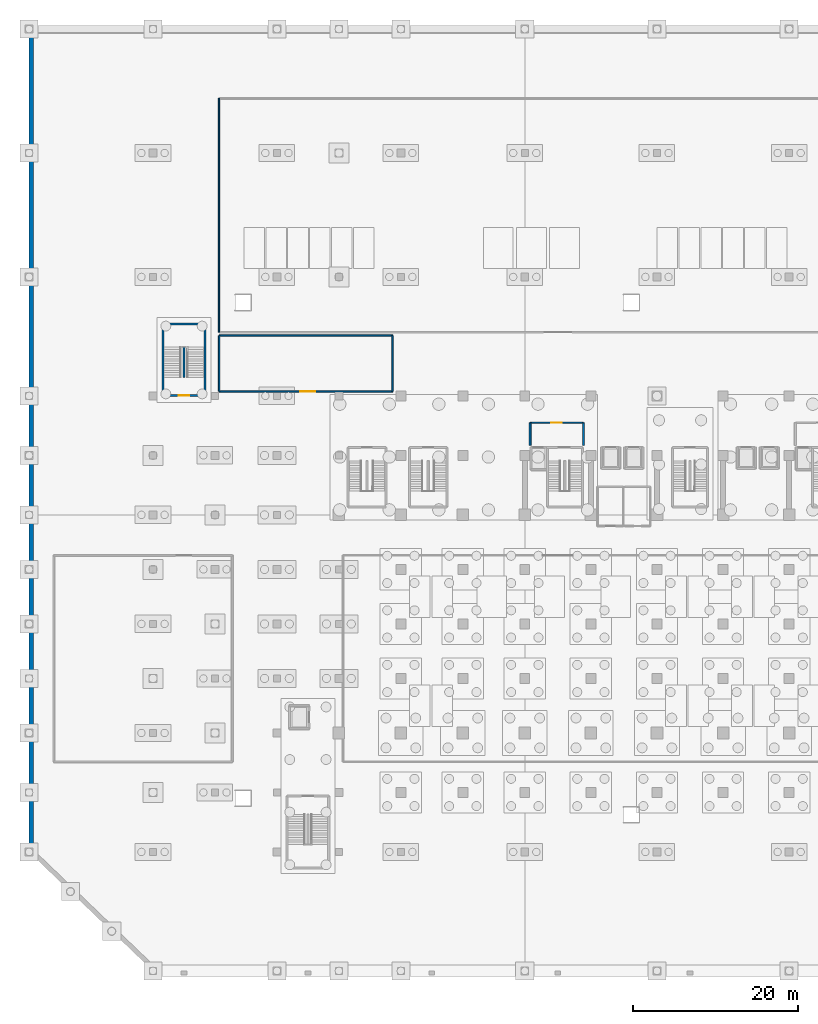
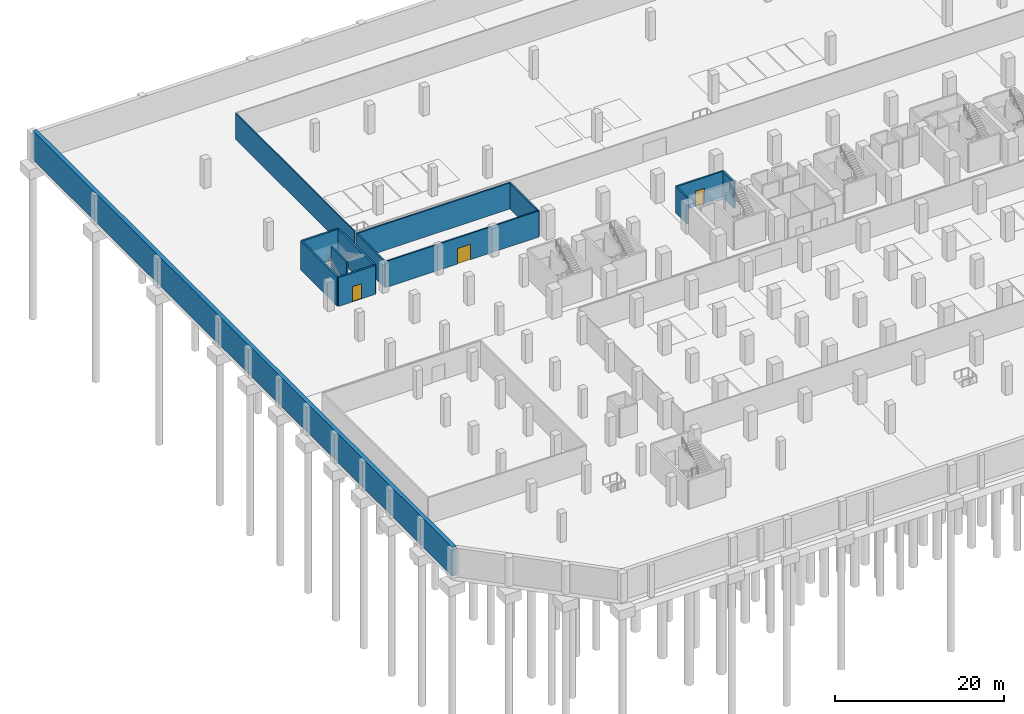
# One storey, part 12 of 26: 14 walls, 3 doors, 3 openings.
"""IFC4 building model written with IfcOpenShell, lengths in metres."""

from ifc_helpers import new_model, si_unit, direction, frame, frame_2d, origin, place, context, subcontext, project, spatial, rectangle, extrude, material, layer, layer_set, type_object, element, fill, save


model = new_model("IFC4")

# Units and contexts
model_context = context("Model", 3, precision=1e-05, world=origin(), true_north=direction((0.0, 1.0)))
body_context = subcontext(model_context, "Body", "Model", "MODEL_VIEW")
ifc_project = project(units=[si_unit("LENGTHUNIT", "METRE"), si_unit("AREAUNIT", "SQUARE_METRE"), si_unit("VOLUMEUNIT", "CUBIC_METRE"), si_unit("PLANEANGLEUNIT", "RADIAN"), si_unit("MASSUNIT", "GRAM", prefix="KILO")], contexts=[model_context])

# Site, building, storey
site_placement = place(None, origin())
site = spatial("IfcSite", under=ifc_project, at=site_placement, CompositionType="ELEMENT")
building_placement = place(site_placement, origin())
building = spatial("IfcBuilding", under=site, at=building_placement, Name="Akrevak Sports Hall", CompositionType="ELEMENT")
storey_placement = place(building_placement, frame((0.0, 0.0, -9.0)))
storey = spatial("IfcBuildingStorey", under=building, at=storey_placement, Name="B02", CompositionType="ELEMENT", Elevation=-9.0)

# Wall
ifc_material_1 = material(Name="Double Stud Acoustic Gypsum Partition", Category="gypsum")
ifc_layer_1 = layer(ifc_material_1, 0.14990234375, Name="Double Stud Acoustic Gypsum Partition")
ifc_layer_set_1 = layer_set([ifc_layer_1], Name="Double Stud Acoustic Gypsum Partition")
wall_type_1 = type_object("IfcWallType", Name="ARC-WL-PRT-150", PredefinedType="PARTITIONING", material=ifc_layer_set_1)
wall_1_placement = place(storey_placement, frame((23.0, 77.300048828125, 0.0), z_axis=(0.0, 0.0, 1.0), x_axis=(0.0, 1.0, 0.0)))
element("IfcWall", 1, at=wall_1_placement, inside=storey, type_object=wall_type_1, Name="Interior Partition Underground Car Park Hall North B02 (W)", PredefinedType="PARTITIONING", context=body_context, shape_type="SweptSolid", body=[
    extrude(rectangle(XDim=28.300048828125, YDim=0.14990234375, at=frame_2d((14.14990234375, 0.0))), origin(), (0.0, 0.0, 1.0), 3.780029296875),
])

# Wall, opening, door
ifc_material_2 = material(Name="Autoclaved Aerated Masonry Block", Category="masonry")
ifc_layer_2 = layer(ifc_material_2, 0.199951171875, Name="Autoclaved Aerated Masonry Block")
ifc_layer_set_2 = layer_set([ifc_layer_2], Name="Autoclaved Aerated Masonry Block")
wall_type_2 = type_object("IfcWallType", Name="ARC-WL-PRT-200", PredefinedType="PARTITIONING", material=ifc_layer_set_2)
wall_2_placement = place(storey_placement, frame((23.0, 70.14990234375, 0.0), z_axis=(0.0, 0.0, 1.0), x_axis=(1.0, 0.0, 0.0)))
wall_2 = element("IfcWall", 2, at=wall_2_placement, inside=storey, type_object=wall_type_2, Name="Interior Partition Sprinkler & Water Plant B02 (S)", PredefinedType="PARTITIONING", context=body_context, shape_type="SweptSolid", body=[
    extrude(rectangle(XDim=21.0, YDim=0.199951171875, at=frame_2d((10.5, 0.0))), origin(), (0.0, 0.0, 1.0), 3.780029296875),
])
opening_1_placement = place(wall_2_placement, frame((9.85009765625, 0.0, 0.0)))
opening_1 = element("IfcOpeningElement", 3, at=opening_1_placement, cuts=wall_2, Name="Opening ID-02", PredefinedType="OPENING", context=body_context, shape_type="SweptSolid", body=[
    extrude(rectangle(XDim=1.800048828125, YDim=2.25, at=frame_2d((0.89990234375, 1.125))), frame((0.0, 0.11181640625, 0.0), z_axis=(0.0, -1.0, 0.0), x_axis=(1.0, 0.0, 0.0)), (0.0, 0.0, 1.0), 0.223876953125),
])
ifc_material_3 = material(Name="Hardwood Oak & Safety Glass", Category="wood")
door_type_1 = type_object("IfcDoorType", Name="ARC-DR-HALL-180x225", OperationType="DOUBLE_DOOR_SINGLE_SWING", PredefinedType="DOOR", material=ifc_material_3)
door_1_placement = place(opening_1_placement, frame((1.800048828125, 0.0, 0.0), z_axis=(0.0, 0.0, 1.0), x_axis=(-1.0, 0.0, 0.0)))
door_1 = element("IfcDoor", 4, at=door_1_placement, inside=storey, type_object=door_type_1, Name="Door to Sprinkler & Water Plant B02", OperationType="DOUBLE_DOOR_SINGLE_SWING", OverallHeight=2.25, OverallWidth=1.800048828125, PredefinedType="DOOR", context=body_context, shape_type="SweptSolid", body=[
    extrude(rectangle(XDim=1.800048828125, YDim=2.25, at=frame_2d((0.89990234375, 1.125))), frame((0.0, 0.02490234375, 0.0), z_axis=(0.0, -1.0, 0.0), x_axis=(1.0, 0.0, 0.0)), (0.0, 0.0, 1.0), 0.050048828125),
])
fill(opening_1, door_1)

# Walls
wall_3_placement = place(storey_placement, frame((23.0, 76.89990234375, 0.0), z_axis=(0.0, 0.0, 1.0), x_axis=(1.0, 0.0, 0.0)))
element("IfcWall", 5, at=wall_3_placement, inside=storey, type_object=wall_type_2, Name="Interior Partition Sprinkler & Water Plant B02 (N)", PredefinedType="PARTITIONING", context=body_context, shape_type="SweptSolid", body=[
    extrude(rectangle(XDim=21.0, YDim=0.199951171875, at=frame_2d((10.5, 0.0))), origin(), (0.0, 0.0, 1.0), 3.780029296875),
])
for number, where, z_axis, x_axis, name in (
    (6, (23.0, 70.14990234375, 0.0), (0.0, 0.0, 1.0), (0.0, 1.0, 0.0), "Interior Partition Sprinkler & Water Plant B02 (W)"),
    (7, (44.0, 70.14990234375, 0.0), (0.0, 0.0, 1.0), (0.0, 1.0, 0.0), "Interior Partition Sprinkler & Water Plant B02 (E)"),
):
    element("IfcWall", number, at=place(storey_placement, frame(where, z_axis=z_axis, x_axis=x_axis)), inside=storey, type_object=wall_type_2, Name=name, PredefinedType="PARTITIONING", context=body_context, shape_type="SweptSolid", body=[
        extrude(rectangle(XDim=6.75, YDim=0.199951171875, at=frame_2d((3.375, 0.0))), origin(), (0.0, 0.0, 1.0), 3.780029296875),
    ])
ifc_material_4 = material(Name="Concrete C40/50", Category="concrete")
ifc_layer_3 = layer(ifc_material_4, 0.219970703125, Name="Concrete C40/50")
ifc_layer_set_3 = layer_set([ifc_layer_3], Name="Concrete C40/50")
wall_type_3 = type_object("IfcWallType", Name="ARC-WL-PRT-220", PredefinedType="PARTITIONING", material=ifc_layer_set_3)
wall_4_placement = place(storey_placement, frame((18.75, 71.85009765625, 0.0), z_axis=(0.0, 0.0, 1.0), x_axis=(0.0, 1.0, 0.0)))
element("IfcWall", 8, at=wall_4_placement, inside=storey, type_object=wall_type_3, Name="Stair ST6 Central Spine Wall (B02)", PredefinedType="PARTITIONING", context=body_context, shape_type="SweptSolid", body=[
    extrude(rectangle(XDim=3.639892578125, YDim=0.219970703125, at=frame_2d((1.81982421875, 0.0))), origin(), (0.0, 0.0, 1.0), 4.179931640625),
])

# Wall, opening, door
wall_5_placement = place(storey_placement, frame((60.64990234375, 66.35009765625, 0.0), z_axis=(0.0, 0.0, 1.0), x_axis=(1.0, 0.0, 0.0)))
wall_5 = element("IfcWall", 9, at=wall_5_placement, inside=storey, type_object=wall_type_3, Name="Interior Partition Firefighting Lobby West B02 (N)", PredefinedType="PARTITIONING", context=body_context, shape_type="SweptSolid", body=[
    extrude(rectangle(XDim=6.4501953125, YDim=0.219970703125, at=frame_2d((3.22509765625, 0.0))), origin(), (0.0, 0.0, 1.0), 3.780029296875),
])
opening_2_placement = place(wall_5_placement, frame((2.574951171875, 0.0, 0.0)))
opening_2 = element("IfcOpeningElement", 10, at=opening_2_placement, cuts=wall_5, Name="Opening FD-01", PredefinedType="OPENING", context=body_context, shape_type="SweptSolid", body=[
    extrude(rectangle(XDim=1.25, YDim=2.199951171875, at=frame_2d((0.625, 1.10009765625))), frame((0.0, 0.1220703125, 0.0), z_axis=(0.0, -1.0, 0.0), x_axis=(1.0, 0.0, 0.0)), (0.0, 0.0, 1.0), 0.243896484375),
])
ifc_material_5 = material(Name="Fire-Rated Galvanized Door Steel", Category="steel")
door_type_2 = type_object("IfcDoorType", Name="ARC-DR-FFL-125x220", OperationType="NOTDEFINED", PredefinedType="DOOR", material=ifc_material_5)
door_2_placement = place(opening_2_placement, frame((1.25, 0.0, 0.0), z_axis=(0.0, 0.0, 1.0), x_axis=(-1.0, 0.0, 0.0)))
door_2 = element("IfcDoor", 11, at=door_2_placement, inside=storey, type_object=door_type_2, Name="Door to Firefighting Lobby West B02", OperationType="SINGLE_SWING_LEFT", OverallHeight=2.199951171875, OverallWidth=1.25, PredefinedType="DOOR", context=body_context, shape_type="SweptSolid", body=[
    extrude(rectangle(XDim=1.25, YDim=2.199951171875, at=frame_2d((0.625, 1.10009765625))), frame((0.0, 0.02490234375, 0.0), z_axis=(0.0, -1.0, 0.0), x_axis=(1.0, 0.0, 0.0)), (0.0, 0.0, 1.0), 0.050048828125),
])
fill(opening_2, door_2)

# Walls
for number, where, z_axis, x_axis, name in (
    (12, (60.64990234375, 63.60009765625, 0.0), (0.0, 0.0, 1.0), (0.0, 1.0, 0.0), "Interior Partition Firefighting Lobby West B02 (W)"),
    (13, (67.10009765625, 63.60009765625, 0.0), (0.0, 0.0, 1.0), (0.0, 1.0, 0.0), "Interior Partition Firefighting Lobby West B02 (E)"),
):
    element("IfcWall", number, at=place(storey_placement, frame(where, z_axis=z_axis, x_axis=x_axis)), inside=storey, type_object=wall_type_3, Name=name, PredefinedType="PARTITIONING", context=body_context, shape_type="SweptSolid", body=[
        extrude(rectangle(XDim=2.75, YDim=0.219970703125, at=frame_2d((1.375, 0.0))), origin(), (0.0, 0.0, 1.0), 3.780029296875),
    ])
ifc_layer_4 = layer(ifc_material_4, 0.550048828125, Name="Concrete C40/50")
ifc_layer_set_4 = layer_set([ifc_layer_4], Name="Concrete C40/50")
wall_type_4 = type_object("IfcWallType", Name="STR-WL-RET-550", PredefinedType="SOLIDWALL", material=ifc_layer_set_4)
wall_6_placement = place(storey_placement, frame((0.27490234375, 114.0, 0.0), z_axis=(0.0, 0.0, 1.0), x_axis=(0.0, -1.0, 0.0)))
element("IfcWall", 14, at=wall_6_placement, inside=storey, type_object=wall_type_4, Name="Basement Retaining Wall B02-4", PredefinedType="SOLIDWALL", context=body_context, shape_type="SweptSolid", body=[
    extrude(rectangle(XDim=99.60009765625, YDim=0.550048828125, at=frame_2d((49.800048828125, 0.0))), origin(), (0.0, 0.0, 1.0), 4.179931640625),
])

# Wall, opening, door
ifc_material_6 = material(Name="Concrete C50/60", Category="concrete")
ifc_layer_5 = layer(ifc_material_6, 0.25, Name="Concrete C50/60")
ifc_layer_set_5 = layer_set([ifc_layer_5], Name="Concrete C50/60")
wall_type_5 = type_object("IfcWallType", Name="STR-WL-STAIR-250", PredefinedType="SHEAR", material=ifc_layer_set_5)
wall_7_placement = place(storey_placement, frame((16.22509765625, 69.625, 0.0), z_axis=(0.0, 0.0, 1.0), x_axis=(1.0, 0.0, 0.0)))
wall_7 = element("IfcWall", 15, at=wall_7_placement, inside=storey, type_object=wall_type_5, Name="Stair Core ST6 Shear Wall S (B02)", PredefinedType="SHEAR", context=body_context, shape_type="SweptSolid", body=[
    extrude(rectangle(XDim=5.0498046875, YDim=0.25, at=frame_2d((2.52490234375, 0.0))), origin(), (0.0, 0.0, 1.0), 4.179931640625),
])
opening_3_placement = place(wall_7_placement, frame((1.875, 0.0, 0.0)))
opening_3 = element("IfcOpeningElement", 16, at=opening_3_placement, cuts=wall_7, Name="Opening SD-01", PredefinedType="OPENING", context=body_context, shape_type="SweptSolid", body=[
    extrude(rectangle(XDim=1.300048828125, YDim=2.199951171875, at=frame_2d((0.64990234375, 1.10009765625))), frame((0.0, 0.136962890625, 0.0), z_axis=(0.0, -1.0, 0.0), x_axis=(1.0, 0.0, 0.0)), (0.0, 0.0, 1.0), 0.27392578125),
])
door_type_3 = type_object("IfcDoorType", Name="ARC-DR-STAIR-130x220", OperationType="NOTDEFINED", PredefinedType="DOOR", material=ifc_material_5)
door_3_placement = place(opening_3_placement, origin())
door_3 = element("IfcDoor", 17, at=door_3_placement, inside=storey, type_object=door_type_3, Name="Exit Stair ST6 Door (B02)", OperationType="SINGLE_SWING_LEFT", OverallHeight=2.199951171875, OverallWidth=1.300048828125, PredefinedType="DOOR", context=body_context, shape_type="SweptSolid", body=[
    extrude(rectangle(XDim=1.300048828125, YDim=2.199951171875, at=frame_2d((0.64990234375, 1.10009765625))), frame((0.0, 0.02490234375, 0.0), z_axis=(0.0, -1.0, 0.0), x_axis=(1.0, 0.0, 0.0)), (0.0, 0.0, 1.0), 0.050048828125),
])
fill(opening_3, door_3)

# Walls
wall_8_placement = place(storey_placement, frame((21.27490234375, 78.324951171875, 0.0), z_axis=(0.0, 0.0, 1.0), x_axis=(-1.0, 0.0, 0.0)))
element("IfcWall", 18, at=wall_8_placement, inside=storey, type_object=wall_type_5, Name="Stair Core ST6 Shear Wall N (B02)", PredefinedType="SHEAR", context=body_context, shape_type="SweptSolid", body=[
    extrude(rectangle(XDim=5.0498046875, YDim=0.25, at=frame_2d((2.52490234375, 0.0))), origin(), (0.0, 0.0, 1.0), 4.179931640625),
])
for number, where, z_axis, x_axis, name in (
    (19, (16.22509765625, 78.324951171875, 0.0), (0.0, 0.0, 1.0), (0.0, -1.0, 0.0), "Stair Core ST6 Shear Wall W (B02)"),
    (20, (21.27490234375, 69.625, 0.0), (0.0, 0.0, 1.0), (0.0, 1.0, 0.0), "Stair Core ST6 Shear Wall E (B02)"),
):
    element("IfcWall", number, at=place(storey_placement, frame(where, z_axis=z_axis, x_axis=x_axis)), inside=storey, type_object=wall_type_5, Name=name, PredefinedType="SHEAR", context=body_context, shape_type="SweptSolid", body=[
        extrude(rectangle(XDim=8.699951171875, YDim=0.25, at=frame_2d((4.35009765625, 0.0))), origin(), (0.0, 0.0, 1.0), 4.179931640625),
    ])

save(model, "model.ifc")
